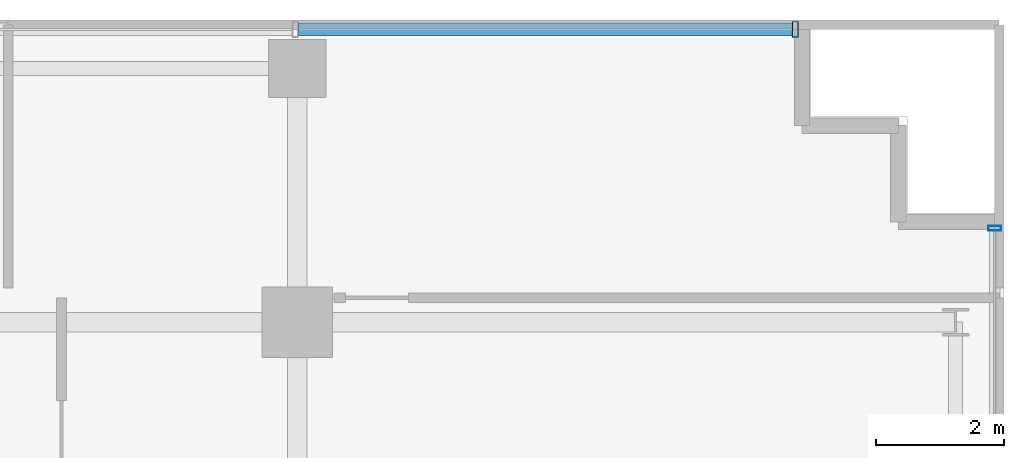
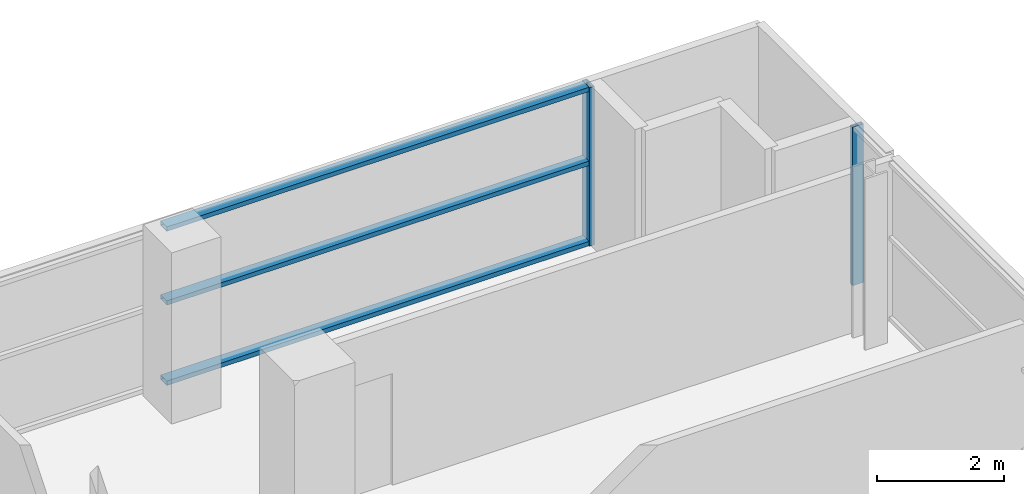
# One storey, part 22 of 32: 5 members, 2 elements without a shape of their own.
"""IFC4 building model written with IfcOpenShell, lengths in metres."""

from ifc_helpers import new_model, si_unit, direction, frame, origin, origin_2d, place, context, subcontext, project, spatial, hollow_rectangle, extrude, source, transform, mapped, material, layer, layer_set, material_profile, profile_set, type_object, element, aggregate, save


model = new_model("IFC4")

# Units and contexts
model_context = context("Model", 3, precision=1e-05, world=origin(), true_north=direction((0.0, 1.0)))
body_context = subcontext(model_context, "Body", "Model", "MODEL_VIEW")
ifc_project = project(units=[si_unit("LENGTHUNIT", "METRE"), si_unit("AREAUNIT", "SQUARE_METRE"), si_unit("VOLUMEUNIT", "CUBIC_METRE"), si_unit("PLANEANGLEUNIT", "RADIAN"), si_unit("MASSUNIT", "GRAM", prefix="KILO")], contexts=[model_context])

# Site, building, storey
site_placement = place(None, origin())
site = spatial("IfcSite", under=ifc_project, at=site_placement, CompositionType="ELEMENT")
building_placement = place(site_placement, origin())
building = spatial("IfcBuilding", under=site, at=building_placement, Name="Zarnakvel Exchange Tower", CompositionType="ELEMENT")
storey_placement = place(building_placement, frame((0.0, 0.0, 73.60009765625)))
storey = spatial("IfcBuildingStorey", under=building, at=storey_placement, Name="L20", CompositionType="ELEMENT", Elevation=73.60009765625)

# Curtain wall, members
ifc_material = material(Name="Architectural Bronze Anodised Aluminium", Category="aluminium")
ifc_layer_1 = layer(ifc_material, 0.239990234375)
ifc_layer_set_1 = layer_set([ifc_layer_1], Name="Architectural Bronze Anodised Aluminium")
curtain_wall_type_1 = type_object("IfcCurtainWallType", Name="CW-02", PredefinedType="NOTDEFINED", material=ifc_layer_set_1)
curtain_wall_1_placement = place(storey_placement, origin())
curtain_wall_1 = element("IfcCurtainWall", 1, at=curtain_wall_1_placement, inside=storey, type_object=curtain_wall_type_1, Name="L20 Curtain Wall CW-L20-N1 (CW-02)", PredefinedType="NOTDEFINED")
ifc_material_profile_1 = material_profile(ifc_material, hollow_rectangle(XDim=0.199951171875, YDim=0.0849609375, WallThickness=0.0048828125, at=origin_2d()))
ifc_profile_set_1 = profile_set([ifc_material_profile_1], Name="Architectural Bronze Anodised Aluminium")
member_type_1 = type_object("IfcMemberType", Name="CWT-02", PredefinedType="USERDEFINED", material=ifc_profile_set_1)
shared_shape_1 = source(origin(), body_context, "Body", "SweptSolid", [
    extrude(hollow_rectangle(XDim=0.199951171875, YDim=0.0849609375, WallThickness=0.0048828125, at=origin_2d()), origin(), (0.0, 0.0, 1.0), 7.693603515625),
])
member_1_placement = place(storey_placement, frame((21.616455078125, 18.06005859375, 0.04248046875), z_axis=(1.0, 0.0, 0.0), x_axis=(0.0, 1.0, 0.0)))
member_1 = element("IfcMember", 2, at=member_1_placement, type_object=member_type_1, Name="CW-02 transom 7.1", ObjectType="TRANSOM", PredefinedType="USERDEFINED", context=body_context, shape_type="MappedRepresentation", body=[
    mapped(shared_shape_1, transform((0.0, 0.0, 0.0), x_axis=(1.0, 0.0, 0.0), y_axis=(0.0, 1.0, 0.0), z_axis=(0.0, 0.0, 1.0), scale=1.0)),
])
member_2_placement = place(storey_placement, frame((21.616455078125, 18.06005859375, 1.588623046875), z_axis=(1.0, 0.0, 0.0), x_axis=(0.0, 1.0, 0.0)))
member_2 = element("IfcMember", 3, at=member_2_placement, type_object=member_type_1, Name="CW-02 transom 7.2", ObjectType="TRANSOM", PredefinedType="USERDEFINED", context=body_context, shape_type="MappedRepresentation", body=[
    mapped(shared_shape_1, transform((0.0, 0.0, 0.0), x_axis=(1.0, 0.0, 0.0), y_axis=(0.0, 1.0, 0.0), z_axis=(0.0, 0.0, 1.0), scale=1.0)),
])
member_3_placement = place(storey_placement, frame((21.616455078125, 18.06005859375, 3.012451171875), z_axis=(1.0, 0.0, 0.0), x_axis=(0.0, 1.0, 0.0)))
member_3 = element("IfcMember", 4, at=member_3_placement, type_object=member_type_1, Name="CW-02 transom 7.3", ObjectType="TRANSOM", PredefinedType="USERDEFINED", context=body_context, shape_type="MappedRepresentation", body=[
    mapped(shared_shape_1, transform((0.0, 0.0, 0.0), x_axis=(1.0, 0.0, 0.0), y_axis=(0.0, 1.0, 0.0), z_axis=(0.0, 0.0, 1.0), scale=1.0)),
])
ifc_material_profile_2 = material_profile(ifc_material, hollow_rectangle(XDim=0.239990234375, YDim=0.090087890625, WallThickness=0.006103515625, at=origin_2d()))
ifc_profile_set_2 = profile_set([ifc_material_profile_2], Name="Architectural Bronze Anodised Aluminium")
member_type_2 = type_object("IfcMemberType", Name="CWM-02", PredefinedType="MULLION", material=ifc_profile_set_2)
shared_shape_2 = source(origin(), body_context, "Body", "SweptSolid", [
    extrude(hollow_rectangle(XDim=0.239990234375, YDim=0.090087890625, WallThickness=0.006103515625, at=origin_2d()), origin(), (0.0, 0.0, 1.0), 3.054931640625),
])
member_4_placement = place(storey_placement, frame((29.35498046875, 18.06005859375, 0.0), z_axis=(0.0, 0.0, 1.0), x_axis=(0.0, 1.0, 0.0)))
member_4 = element("IfcMember", 5, at=member_4_placement, type_object=member_type_2, Name="CW-02 mullion 8", PredefinedType="MULLION", context=body_context, shape_type="MappedRepresentation", body=[
    mapped(shared_shape_2, transform((0.0, 0.0, 0.0), x_axis=(1.0, 0.0, 0.0), y_axis=(0.0, 1.0, 0.0), z_axis=(0.0, 0.0, 1.0), scale=1.0)),
])
aggregate(curtain_wall_1, [member_4, member_1, member_2, member_3])

# Curtain wall, member
ifc_layer_2 = layer(ifc_material, 0.199951171875)
ifc_layer_set_2 = layer_set([ifc_layer_2], Name="Architectural Bronze Anodised Aluminium")
curtain_wall_type_2 = type_object("IfcCurtainWallType", Name="CW-04", PredefinedType="NOTDEFINED", material=ifc_layer_set_2)
curtain_wall_2_placement = place(storey_placement, origin())
curtain_wall_2 = element("IfcCurtainWall", 6, at=curtain_wall_2_placement, inside=storey, type_object=curtain_wall_type_2, Name="L20 Curtain Wall CW-L20-E1 (CW-04)", PredefinedType="NOTDEFINED")
ifc_material_profile_3 = material_profile(ifc_material, hollow_rectangle(XDim=0.199951171875, YDim=0.074951171875, WallThickness=0.0048828125, at=origin_2d()))
ifc_profile_set_3 = profile_set([ifc_material_profile_3], Name="Architectural Bronze Anodised Aluminium")
member_type_3 = type_object("IfcMemberType", Name="CWM-04", PredefinedType="MULLION", material=ifc_profile_set_3)
shared_shape_3 = source(origin(), body_context, "Body", "SweptSolid", [
    extrude(hollow_rectangle(XDim=0.199951171875, YDim=0.074951171875, WallThickness=0.0048828125, at=origin_2d()), origin(), (0.0, 0.0, 1.0), 3.054931640625),
])
member_5_placement = place(storey_placement, frame((32.4599609375, 14.96240234375, 0.0), z_axis=(0.0, 0.0, 1.0), x_axis=(-1.0, 0.0, 0.0)))
member_5 = element("IfcMember", 7, at=member_5_placement, type_object=member_type_3, Name="CW-04 mullion 5", PredefinedType="MULLION", context=body_context, shape_type="MappedRepresentation", body=[
    mapped(shared_shape_3, transform((0.0, 0.0, 0.0), x_axis=(1.0, 0.0, 0.0), y_axis=(0.0, 1.0, 0.0), z_axis=(0.0, 0.0, 1.0), scale=1.0)),
])
aggregate(curtain_wall_2, [member_5])

save(model, "model.ifc")
